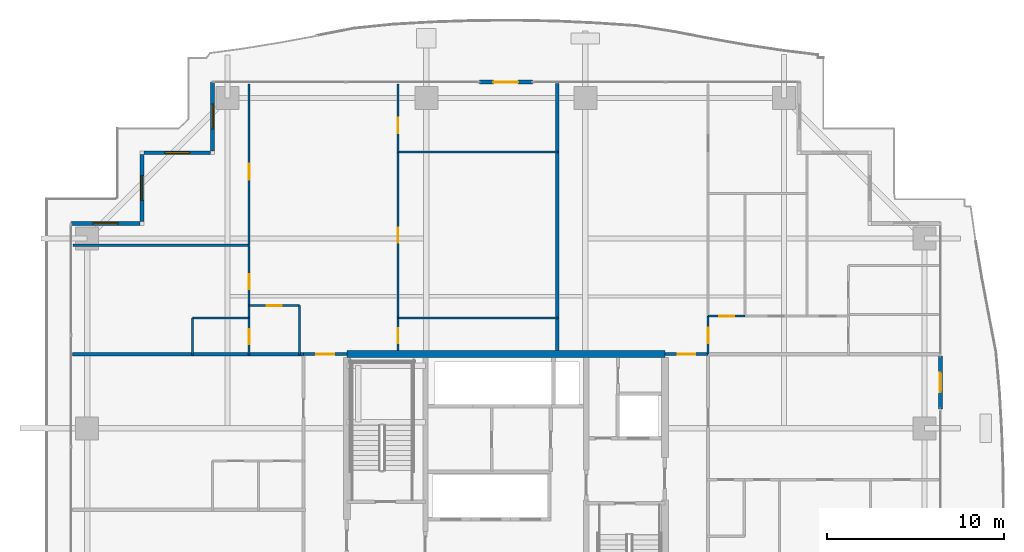
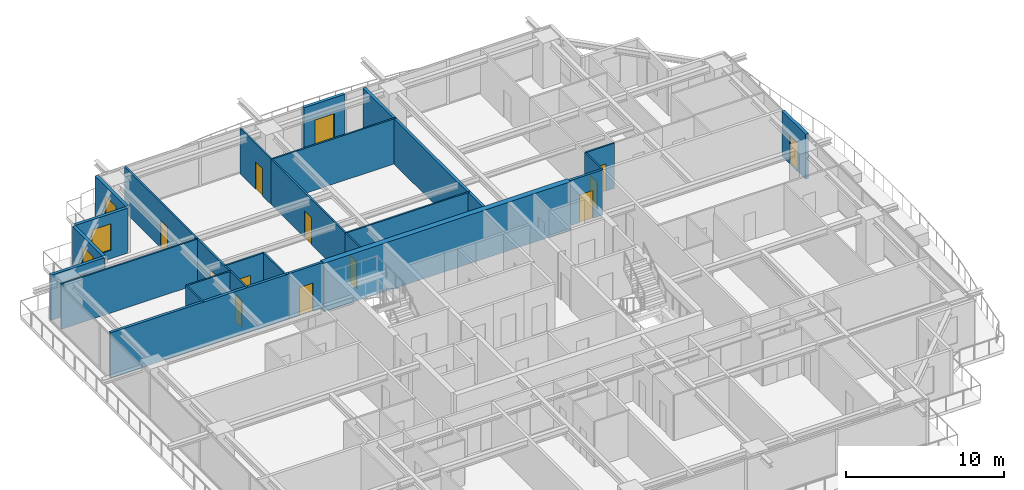
# One storey, part 26 of 33: 26 walls, 13 doors, 4 windows, 17 openings.
"""IFC4 building model written with IfcOpenShell, lengths in metres."""

from ifc_helpers import new_model, si_unit, direction, frame, frame_2d, origin, place, context, subcontext, project, spatial, rectangle, extrude, source, transform, mapped, material, layer, layer_set, type_object, element, fill, save


model = new_model("IFC4")

# Units and contexts
model_context = context("Model", 3, precision=1e-05, world=origin(), true_north=direction((0.0, 1.0)))
body_context = subcontext(model_context, "Body", "Model", "MODEL_VIEW")
ifc_project = project(units=[si_unit("LENGTHUNIT", "METRE"), si_unit("AREAUNIT", "SQUARE_METRE"), si_unit("VOLUMEUNIT", "CUBIC_METRE"), si_unit("PLANEANGLEUNIT", "RADIAN"), si_unit("MASSUNIT", "GRAM", prefix="KILO")], contexts=[model_context])

# Site, building, storey
site_placement = place(None, origin())
site = spatial("IfcSite", under=ifc_project, at=site_placement, CompositionType="ELEMENT")
building_placement = place(site_placement, origin())
building = spatial("IfcBuilding", under=site, at=building_placement, Name="Serunith Strait Residences", CompositionType="ELEMENT")
storey_placement = place(building_placement, frame((0.0, 0.0, 150.14990234375)))
storey = spatial("IfcBuildingStorey", under=building, at=storey_placement, Name="L37", CompositionType="ELEMENT", Elevation=150.14990234375)

# Wall, opening, door
ifc_material_1 = material(Name="Pale-Champagne Aluminium Insulated Panel", Category="aluminium")
ifc_layer_1 = layer(ifc_material_1, 0.219970703125, Name="Pale-Champagne Aluminium Insulated Panel")
ifc_layer_set_1 = layer_set([ifc_layer_1], Name="Pale-Champagne Aluminium Insulated Panel")
wall_type_1 = type_object("IfcWallType", Name="EW-ALUM-220", PredefinedType="ELEMENTEDWALL", material=ifc_layer_set_1)
wall_1_placement = place(storey_placement, frame((57.0, 30.5, 0.0), z_axis=(0.0, 0.0, 1.0), x_axis=(0.0, 1.0, 0.0)))
wall_1 = element("IfcWall", 1, at=wall_1_placement, inside=storey, type_object=wall_type_1, Name="L37 E Facade Pier Wall", PredefinedType="ELEMENTEDWALL", context=body_context, shape_type="SweptSolid", body=[
    extrude(rectangle(XDim=3.0, YDim=0.219970703125, at=frame_2d((1.5, 0.0))), origin(), (0.0, 0.0, 1.0), 3.47509765625),
])
opening_1_placement = place(wall_1_placement, frame((0.949951171875, 0.0, 0.0)))
opening_1 = element("IfcOpeningElement", 2, at=opening_1_placement, cuts=wall_1, Name="Opening ED-03", PredefinedType="OPENING", context=body_context, shape_type="SweptSolid", body=[
    extrude(rectangle(XDim=1.10009765625, YDim=2.199951171875, at=frame_2d((0.550048828125, 1.10009765625))), frame((0.0, 0.1201171875, 0.0), z_axis=(0.0, -1.0, 0.0), x_axis=(1.0, 0.0, 0.0)), (0.0, 0.0, 1.0), 0.239990234375),
])
ifc_material_2 = material(Name="Thermally-Broken Aluminium Glazed Balcony Door", Category="aluminium")
door_type_1 = type_object("IfcDoorType", Name="ED-BALC-1100", OperationType="NOTDEFINED", PredefinedType="DOOR", material=ifc_material_2)
shared_shape_1 = source(origin(), body_context, "Body", "SweptSolid", [
    extrude(rectangle(XDim=1.10009765625, YDim=2.199951171875, at=frame_2d((0.550048828125, 1.10009765625))), frame((0.0, 0.02490234375, 0.0), z_axis=(0.0, -1.0, 0.0), x_axis=(1.0, 0.0, 0.0)), (0.0, 0.0, 1.0), 0.050048828125),
])
door_1_placement = place(opening_1_placement, origin())
door_1 = element("IfcDoor", 3, at=door_1_placement, inside=storey, type_object=door_type_1, Name="L37 E Vertical-Forest Balcony Door", OperationType="SINGLE_SWING_RIGHT", OverallHeight=2.199951171875, OverallWidth=1.10009765625, PredefinedType="DOOR", context=body_context, shape_type="MappedRepresentation", body=[
    mapped(shared_shape_1, transform((0.0, 0.0, 0.0), scale=1.0)),
])
fill(opening_1, door_1)

wall_2_placement = place(storey_placement, frame((33.89990234375, 49.0, 0.0), z_axis=(0.0, 0.0, 1.0), x_axis=(-1.0, 0.0, 0.0)))
wall_2 = element("IfcWall", 4, at=wall_2_placement, inside=storey, type_object=wall_type_1, Name="L37 N Facade Pier Wall", PredefinedType="ELEMENTEDWALL", context=body_context, shape_type="SweptSolid", body=[
    extrude(rectangle(XDim=3.0, YDim=0.219970703125, at=frame_2d((1.5, 0.0))), origin(), (0.0, 0.0, 1.0), 3.47509765625),
])
opening_2_placement = place(wall_2_placement, frame((0.800048828125, 0.0, 0.0)))
opening_2 = element("IfcOpeningElement", 5, at=opening_2_placement, cuts=wall_2, Name="Opening ED-04", PredefinedType="OPENING", context=body_context, shape_type="SweptSolid", body=[
    extrude(rectangle(XDim=1.39990234375, YDim=2.25, at=frame_2d((0.699951171875, 1.125))), frame((0.0, 0.1201171875, 0.0), z_axis=(0.0, -1.0, 0.0), x_axis=(1.0, 0.0, 0.0)), (0.0, 0.0, 1.0), 0.239990234375),
])
ifc_material_3 = material(Name="Thermally-Broken Aluminium Sliding Balcony Door", Category="aluminium")
door_type_2 = type_object("IfcDoorType", Name="ED-BALC-1400", OperationType="NOTDEFINED", PredefinedType="DOOR", material=ifc_material_3)
shared_shape_2 = source(origin(), body_context, "Body", "SweptSolid", [
    extrude(rectangle(XDim=1.39990234375, YDim=2.25, at=frame_2d((0.699951171875, 1.125))), frame((0.0, 0.02490234375, 0.0), z_axis=(0.0, -1.0, 0.0), x_axis=(1.0, 0.0, 0.0)), (0.0, 0.0, 1.0), 0.050048828125),
])
door_2_placement = place(opening_2_placement, origin())
door_2 = element("IfcDoor", 6, at=door_2_placement, inside=storey, type_object=door_type_2, Name="L37 N Vertical-Forest Balcony Door", OperationType="SLIDING_TO_LEFT", OverallHeight=2.25, OverallWidth=1.39990234375, PredefinedType="DOOR", context=body_context, shape_type="MappedRepresentation", body=[
    mapped(shared_shape_2, transform((0.0, 0.0, 0.0), scale=1.0)),
])
fill(opening_2, door_2)

# Wall, opening, window
wall_3_placement = place(storey_placement, frame((15.800048828125, 49.0, 0.0), z_axis=(0.0, 0.0, 1.0), x_axis=(0.0, -1.0, 0.0)))
wall_3 = element("IfcWall", 7, at=wall_3_placement, inside=storey, type_object=wall_type_1, Name="L37 Girih Serrated Corner Wall 12", PredefinedType="ELEMENTEDWALL", context=body_context, shape_type="SweptSolid", body=[
    extrude(rectangle(XDim=3.889892578125, YDim=0.219970703125, at=frame_2d((1.94482421875, 0.0))), origin(), (0.0, 0.0, 1.0), 3.47509765625),
])
opening_3_placement = place(wall_3_placement, frame((1.2451171875, 0.0, 0.64990234375)))
opening_3 = element("IfcOpeningElement", 8, at=opening_3_placement, cuts=wall_3, Name="Opening W-03", PredefinedType="OPENING", context=body_context, shape_type="SweptSolid", body=[
    extrude(rectangle(XDim=1.39990234375, YDim=2.050048828125, at=frame_2d((0.699951171875, 1.02490234375))), frame((0.0, 0.1201171875, 0.0), z_axis=(0.0, -1.0, 0.0), x_axis=(1.0, 0.0, 0.0)), (0.0, 0.0, 1.0), 0.239990234375),
])
ifc_material_4 = material(Name="Ceramic-Fritted Operable Aluminium Window Glass", Category="aluminium")
window_type = type_object("IfcWindowType", Name="WIN-C3", PartitioningType="SINGLE_PANEL", PredefinedType="WINDOW", material=ifc_material_4)
shared_shape_3 = source(origin(), body_context, "Body", "SweptSolid", [
    extrude(rectangle(XDim=1.39990234375, YDim=2.050048828125, at=frame_2d((0.699951171875, 1.02490234375))), frame((0.0, 0.030029296875, 0.0), z_axis=(0.0, -1.0, 0.0), x_axis=(1.0, 0.0, 0.0)), (0.0, 0.0, 1.0), 0.06005859375),
])
window_1_placement = place(opening_3_placement, origin())
window_1 = element("IfcWindow", 9, at=window_1_placement, inside=storey, type_object=window_type, Name="L37 Corner Operable Fritted Window 12", OverallHeight=2.050048828125, OverallWidth=1.39990234375, PartitioningType="SINGLE_PANEL", PredefinedType="WINDOW", context=body_context, shape_type="MappedRepresentation", body=[
    mapped(shared_shape_3, transform((0.0, 0.0, 0.0), scale=1.0)),
])
fill(opening_3, window_1)

wall_4_placement = place(storey_placement, frame((15.68994140625, 45.0, 0.0), z_axis=(0.0, 0.0, 1.0), x_axis=(-1.0, 0.0, 0.0)))
wall_4 = element("IfcWall", 10, at=wall_4_placement, inside=storey, type_object=wall_type_1, Name="L37 Girih Serrated Corner Wall 13", PredefinedType="ELEMENTEDWALL", context=body_context, shape_type="SweptSolid", body=[
    extrude(rectangle(XDim=3.780029296875, YDim=0.219970703125, at=frame_2d((1.89013671875, 0.0))), origin(), (0.0, 0.0, 1.0), 3.47509765625),
])
opening_4_placement = place(wall_4_placement, frame((1.18994140625, 0.0, 0.64990234375)))
opening_4 = element("IfcOpeningElement", 11, at=opening_4_placement, cuts=wall_4, Name="Opening W-03", PredefinedType="OPENING", context=body_context, shape_type="SweptSolid", body=[
    extrude(rectangle(XDim=1.39990234375, YDim=2.050048828125, at=frame_2d((0.699951171875, 1.02490234375))), frame((0.0, 0.1201171875, 0.0), z_axis=(0.0, -1.0, 0.0), x_axis=(1.0, 0.0, 0.0)), (0.0, 0.0, 1.0), 0.239990234375),
])
window_2_placement = place(opening_4_placement, origin())
window_2 = element("IfcWindow", 12, at=window_2_placement, inside=storey, type_object=window_type, Name="L37 Corner Operable Fritted Window 13", OverallHeight=2.050048828125, OverallWidth=1.39990234375, PartitioningType="SINGLE_PANEL", PredefinedType="WINDOW", context=body_context, shape_type="MappedRepresentation", body=[
    mapped(shared_shape_3, transform((0.0, 0.0, 0.0), scale=1.0)),
])
fill(opening_4, window_2)

wall_5_placement = place(storey_placement, frame((11.800048828125, 44.889892578125, 0.0), z_axis=(0.0, 0.0, 1.0), x_axis=(0.0, -1.0, 0.0)))
wall_5 = element("IfcWall", 13, at=wall_5_placement, inside=storey, type_object=wall_type_1, Name="L37 Girih Serrated Corner Wall 14", PredefinedType="ELEMENTEDWALL", context=body_context, shape_type="SweptSolid", body=[
    extrude(rectangle(XDim=3.77978515625, YDim=0.219970703125, at=frame_2d((1.889892578125, 0.0))), origin(), (0.0, 0.0, 1.0), 3.47509765625),
])
opening_5_placement = place(wall_5_placement, frame((1.18994140625, 0.0, 0.64990234375)))
opening_5 = element("IfcOpeningElement", 14, at=opening_5_placement, cuts=wall_5, Name="Opening W-03", PredefinedType="OPENING", context=body_context, shape_type="SweptSolid", body=[
    extrude(rectangle(XDim=1.39990234375, YDim=2.050048828125, at=frame_2d((0.699951171875, 1.02490234375))), frame((0.0, 0.1201171875, 0.0), z_axis=(0.0, -1.0, 0.0), x_axis=(1.0, 0.0, 0.0)), (0.0, 0.0, 1.0), 0.239990234375),
])
window_3_placement = place(opening_5_placement, origin())
window_3 = element("IfcWindow", 15, at=window_3_placement, inside=storey, type_object=window_type, Name="L37 Corner Operable Fritted Window 14", OverallHeight=2.050048828125, OverallWidth=1.39990234375, PartitioningType="SINGLE_PANEL", PredefinedType="WINDOW", context=body_context, shape_type="MappedRepresentation", body=[
    mapped(shared_shape_3, transform((0.0, 0.0, 0.0), scale=1.0)),
])
fill(opening_5, window_3)

wall_6_placement = place(storey_placement, frame((11.68994140625, 41.0, 0.0), z_axis=(0.0, 0.0, 1.0), x_axis=(-1.0, 0.0, 0.0)))
wall_6 = element("IfcWall", 16, at=wall_6_placement, inside=storey, type_object=wall_type_1, Name="L37 Girih Serrated Corner Wall 15", PredefinedType="ELEMENTEDWALL", context=body_context, shape_type="SweptSolid", body=[
    extrude(rectangle(XDim=3.889892578125, YDim=0.219970703125, at=frame_2d((1.94482421875, 0.0))), origin(), (0.0, 0.0, 1.0), 3.47509765625),
])
opening_6_placement = place(wall_6_placement, frame((1.2451171875, 0.0, 0.64990234375)))
opening_6 = element("IfcOpeningElement", 17, at=opening_6_placement, cuts=wall_6, Name="Opening W-03", PredefinedType="OPENING", context=body_context, shape_type="SweptSolid", body=[
    extrude(rectangle(XDim=1.39990234375, YDim=2.050048828125, at=frame_2d((0.699951171875, 1.02490234375))), frame((0.0, 0.1201171875, 0.0), z_axis=(0.0, -1.0, 0.0), x_axis=(1.0, 0.0, 0.0)), (0.0, 0.0, 1.0), 0.239990234375),
])
window_4_placement = place(opening_6_placement, origin())
window_4 = element("IfcWindow", 18, at=window_4_placement, inside=storey, type_object=window_type, Name="L37 Corner Operable Fritted Window 15", OverallHeight=2.050048828125, OverallWidth=1.39990234375, PartitioningType="SINGLE_PANEL", PredefinedType="WINDOW", context=body_context, shape_type="MappedRepresentation", body=[
    mapped(shared_shape_3, transform((0.0, 0.0, 0.0), scale=1.0)),
])
fill(opening_6, window_4)

# Wall, opening, door
ifc_material_5 = material(Name="Fire-rated acoustic gypsum partition")
ifc_layer_2 = layer(ifc_material_5, 0.179931640625, Name="Fire-rated acoustic gypsum partition")
ifc_layer_set_2 = layer_set([ifc_layer_2], Name="Fire-rated acoustic gypsum partition")
wall_type_2 = type_object("IfcWallType", Name="IW-CORR-180", PredefinedType="PARTITIONING", material=ifc_layer_set_2)
wall_7_placement = place(storey_placement, frame((20.951904296875, 33.60009765625, 0.0), z_axis=(0.0, 0.0, 1.0), x_axis=(1.0, 0.0, 0.0)))
wall_7 = element("IfcWall", 19, at=wall_7_placement, inside=storey, type_object=wall_type_2, Name="L37 Partition Wall 030", PredefinedType="PARTITIONING", context=body_context, shape_type="SweptSolid", body=[
    extrude(rectangle(XDim=2.446044921875, YDim=0.179931640625, at=frame_2d((1.22314453125, 0.0))), origin(), (0.0, 0.0, 1.0), 3.489990234375),
])
opening_7_placement = place(wall_7_placement, frame((0.722900390625, 0.0, 0.0)))
opening_7 = element("IfcOpeningElement", 20, at=opening_7_placement, cuts=wall_7, Name="Opening D-APT1000", PredefinedType="OPENING", context=body_context, shape_type="SweptSolid", body=[
    extrude(rectangle(XDim=1.0, YDim=2.14990234375, at=frame_2d((0.5, 1.074951171875))), frame((0.0, 0.10009765625, 0.0), z_axis=(0.0, -1.0, 0.0), x_axis=(1.0, 0.0, 0.0)), (0.0, 0.0, 1.0), 0.199951171875),
])
ifc_material_6 = material(Name="Solid timber engineered fire door", Category="wood")
door_type_3 = type_object("IfcDoorType", Name="ID-APT-1000", OperationType="NOTDEFINED", PredefinedType="DOOR", material=ifc_material_6)
shared_shape_4 = source(origin(), body_context, "Body", "SweptSolid", [
    extrude(rectangle(XDim=1.0, YDim=2.14990234375, at=frame_2d((0.5, 1.074951171875))), frame((0.0, 0.02490234375, 0.0), z_axis=(0.0, -1.0, 0.0), x_axis=(1.0, 0.0, 0.0)), (0.0, 0.0, 1.0), 0.050048828125),
])
door_3_placement = place(opening_7_placement, origin())
door_3 = element("IfcDoor", 21, at=door_3_placement, inside=storey, type_object=door_type_3, Name="L37 Unit 05 Entrance Door", OperationType="SINGLE_SWING_RIGHT", OverallHeight=2.14990234375, OverallWidth=1.0, PredefinedType="DOOR", context=body_context, shape_type="MappedRepresentation", body=[
    mapped(shared_shape_4, transform((0.0, 0.0, 0.0), scale=1.0)),
])
fill(opening_7, door_3)

wall_8_placement = place(storey_placement, frame((41.402099609375, 33.60009765625, 0.0), z_axis=(0.0, 0.0, 1.0), x_axis=(1.0, 0.0, 0.0)))
wall_8 = element("IfcWall", 22, at=wall_8_placement, inside=storey, type_object=wall_type_2, Name="L37 Partition Wall 031", PredefinedType="PARTITIONING", context=body_context, shape_type="SweptSolid", body=[
    extrude(rectangle(XDim=2.44580078125, YDim=0.179931640625, at=frame_2d((1.222900390625, 0.0))), origin(), (0.0, 0.0, 1.0), 3.489990234375),
])
opening_8_placement = place(wall_8_placement, frame((0.722900390625, 0.0, 0.0)))
opening_8 = element("IfcOpeningElement", 23, at=opening_8_placement, cuts=wall_8, Name="Opening D-APT1000", PredefinedType="OPENING", context=body_context, shape_type="SweptSolid", body=[
    extrude(rectangle(XDim=1.0, YDim=2.14990234375, at=frame_2d((0.5, 1.074951171875))), frame((0.0, 0.10009765625, 0.0), z_axis=(0.0, -1.0, 0.0), x_axis=(1.0, 0.0, 0.0)), (0.0, 0.0, 1.0), 0.199951171875),
])
door_4_placement = place(opening_8_placement, origin())
door_4 = element("IfcDoor", 24, at=door_4_placement, inside=storey, type_object=door_type_3, Name="L37 Unit 06 Entrance Door", OperationType="SINGLE_SWING_LEFT", OverallHeight=2.14990234375, OverallWidth=1.0, PredefinedType="DOOR", context=body_context, shape_type="MappedRepresentation", body=[
    mapped(shared_shape_4, transform((0.0, 0.0, 0.0), scale=1.0)),
])
fill(opening_8, door_4)

ifc_material_7 = material(Name="Lightweight steel-stud gypsum partition", Category="steel")
ifc_layer_3 = layer(ifc_material_7, 0.1201171875, Name="Lightweight steel-stud gypsum partition")
ifc_layer_set_3 = layer_set([ifc_layer_3], Name="Lightweight steel-stud gypsum partition")
wall_type_3 = type_object("IfcWallType", Name="IW-PART-120", PredefinedType="PARTITIONING", material=ifc_layer_set_3)
wall_9_placement = place(storey_placement, frame((17.8701171875, 36.35009765625, 0.0), z_axis=(0.0, 0.0, 1.0), x_axis=(1.0, 0.0, 0.0)))
wall_9 = element("IfcWall", 25, at=wall_9_placement, inside=storey, type_object=wall_type_3, Name="L37 Partition Wall 055", PredefinedType="PARTITIONING", context=body_context, shape_type="SweptSolid", body=[
    extrude(rectangle(XDim=2.849853515625, YDim=0.1201171875, at=frame_2d((1.4248046875, 0.0))), origin(), (0.0, 0.0, 1.0), 3.489990234375),
])
opening_9_placement = place(wall_9_placement, frame((1.0, 0.0, 0.0)))
opening_9 = element("IfcOpeningElement", 26, at=opening_9_placement, cuts=wall_9, Name="Opening D-RM850", PredefinedType="OPENING", context=body_context, shape_type="SweptSolid", body=[
    extrude(rectangle(XDim=0.85009765625, YDim=2.10009765625, at=frame_2d((0.425048828125, 1.050048828125))), frame((0.0, 0.070068359375, 0.0), z_axis=(0.0, -1.0, 0.0), x_axis=(1.0, 0.0, 0.0)), (0.0, 0.0, 1.0), 0.14013671875),
])
ifc_material_8 = material(Name="Engineered timber flush study and kitchen door", Category="wood")
door_type_4 = type_object("IfcDoorType", Name="ID-ROOM-850", OperationType="NOTDEFINED", PredefinedType="DOOR", material=ifc_material_8)
shared_shape_5 = source(origin(), body_context, "Body", "SweptSolid", [
    extrude(rectangle(XDim=0.85009765625, YDim=2.10009765625, at=frame_2d((0.425048828125, 1.050048828125))), frame((0.0, 0.02490234375, 0.0), z_axis=(0.0, -1.0, 0.0), x_axis=(1.0, 0.0, 0.0)), (0.0, 0.0, 1.0), 0.050048828125),
])
door_5_placement = place(opening_9_placement, origin())
door_5 = element("IfcDoor", 27, at=door_5_placement, inside=storey, type_object=door_type_4, Name="L37 Kitchen 3705 Door", OperationType="SINGLE_SWING_RIGHT", OverallHeight=2.10009765625, OverallWidth=0.85009765625, PredefinedType="DOOR", context=body_context, shape_type="MappedRepresentation", body=[
    mapped(shared_shape_5, transform((0.0, 0.0, 0.0), scale=1.0)),
])
fill(opening_9, door_5)

# Wall
wall_10_placement = place(storey_placement, frame((20.719970703125, 36.35009765625, 0.0), z_axis=(0.0, 0.0, 1.0), x_axis=(0.0, -1.0, 0.0)))
element("IfcWall", 28, at=wall_10_placement, inside=storey, type_object=wall_type_3, Name="L37 Partition Wall 056", PredefinedType="PARTITIONING", context=body_context, shape_type="SweptSolid", body=[
    extrude(rectangle(XDim=2.81005859375, YDim=0.1201171875, at=frame_2d((1.405029296875, 0.0))), origin(), (0.0, 0.0, 1.0), 3.489990234375),
])

# Wall, opening, door
wall_11_placement = place(storey_placement, frame((17.8701171875, 48.905029296875, 0.0), z_axis=(0.0, 0.0, 1.0), x_axis=(0.0, -1.0, 0.0)))
wall_11 = element("IfcWall", 29, at=wall_11_placement, inside=storey, type_object=wall_type_3, Name="L37 Partition Wall 057", PredefinedType="PARTITIONING", context=body_context, shape_type="SweptSolid", body=[
    extrude(rectangle(XDim=9.14013671875, YDim=0.1201171875, at=frame_2d((4.570068359375, 0.0))), origin(), (0.0, 0.0, 1.0), 3.489990234375),
])
opening_10_placement = place(wall_11_placement, frame((4.531982421875, 0.0, 0.0)))
opening_10 = element("IfcOpeningElement", 30, at=opening_10_placement, cuts=wall_11, Name="Opening D-RM900", PredefinedType="OPENING", context=body_context, shape_type="SweptSolid", body=[
    extrude(rectangle(XDim=0.89990234375, YDim=2.10009765625, at=frame_2d((0.449951171875, 1.050048828125))), frame((0.0, 0.070068359375, 0.0), z_axis=(0.0, -1.0, 0.0), x_axis=(1.0, 0.0, 0.0)), (0.0, 0.0, 1.0), 0.14013671875),
])
ifc_material_9 = material(Name="Engineered timber flush bedroom door", Category="wood")
door_type_5 = type_object("IfcDoorType", Name="ID-ROOM-900", OperationType="NOTDEFINED", PredefinedType="DOOR", material=ifc_material_9)
shared_shape_6 = source(origin(), body_context, "Body", "SweptSolid", [
    extrude(rectangle(XDim=0.89990234375, YDim=2.10009765625, at=frame_2d((0.449951171875, 1.050048828125))), frame((0.0, 0.02490234375, 0.0), z_axis=(0.0, -1.0, 0.0), x_axis=(1.0, 0.0, 0.0)), (0.0, 0.0, 1.0), 0.050048828125),
])
door_6_placement = place(opening_10_placement, origin())
door_6 = element("IfcDoor", 31, at=door_6_placement, inside=storey, type_object=door_type_5, Name="L37 Master Bedroom 1 3705 Door", OperationType="SINGLE_SWING_LEFT", OverallHeight=2.10009765625, OverallWidth=0.89990234375, PredefinedType="DOOR", context=body_context, shape_type="MappedRepresentation", body=[
    mapped(shared_shape_6, transform((0.0, 0.0, 0.0), scale=1.0)),
])
fill(opening_10, door_6)

# Walls
wall_12_placement = place(storey_placement, frame((7.89501953125, 39.764892578125, 0.0), z_axis=(0.0, 0.0, 1.0), x_axis=(1.0, 0.0, 0.0)))
element("IfcWall", 32, at=wall_12_placement, inside=storey, type_object=wall_type_3, Name="L37 Partition Wall 058", PredefinedType="PARTITIONING", context=body_context, shape_type="SweptSolid", body=[
    extrude(rectangle(XDim=9.97509765625, YDim=0.1201171875, at=frame_2d((4.987548828125, 0.0))), origin(), (0.0, 0.0, 1.0), 3.489990234375),
])
wall_13_placement = place(storey_placement, frame((14.669921875, 35.64990234375, 0.0), z_axis=(0.0, 0.0, 1.0), x_axis=(1.0, 0.0, 0.0)))
element("IfcWall", 33, at=wall_13_placement, inside=storey, type_object=wall_type_3, Name="L37 Partition Wall 059", PredefinedType="PARTITIONING", context=body_context, shape_type="SweptSolid", body=[
    extrude(rectangle(XDim=3.2001953125, YDim=0.1201171875, at=frame_2d((1.60009765625, 0.0))), origin(), (0.0, 0.0, 1.0), 3.489990234375),
])
wall_14_placement = place(storey_placement, frame((14.669921875, 35.64990234375, 0.0), z_axis=(0.0, 0.0, 1.0), x_axis=(0.0, -1.0, 0.0)))
element("IfcWall", 34, at=wall_14_placement, inside=storey, type_object=wall_type_3, Name="L37 Partition Wall 060", PredefinedType="PARTITIONING", context=body_context, shape_type="SweptSolid", body=[
    extrude(rectangle(XDim=2.10986328125, YDim=0.1201171875, at=frame_2d((1.054931640625, 0.0))), origin(), (0.0, 0.0, 1.0), 3.489990234375),
])

# Wall, opening, door
wall_15_placement = place(storey_placement, frame((17.8701171875, 39.762939453125, 0.0), z_axis=(0.0, 0.0, 1.0), x_axis=(0.0, -1.0, 0.0)))
wall_15 = element("IfcWall", 35, at=wall_15_placement, inside=storey, type_object=wall_type_3, Name="L37 Partition Wall 061", PredefinedType="PARTITIONING", context=body_context, shape_type="SweptSolid", body=[
    extrude(rectangle(XDim=4.113037109375, YDim=0.1201171875, at=frame_2d((2.056640625, 0.0))), origin(), (0.0, 0.0, 1.0), 3.489990234375),
])
opening_11_placement = place(wall_15_placement, frame((1.631103515625, 0.0, 0.0)))
opening_11 = element("IfcOpeningElement", 36, at=opening_11_placement, cuts=wall_15, Name="Opening D-RM850", PredefinedType="OPENING", context=body_context, shape_type="SweptSolid", body=[
    extrude(rectangle(XDim=0.85009765625, YDim=2.10009765625, at=frame_2d((0.425048828125, 1.050048828125))), frame((0.0, 0.070068359375, 0.0), z_axis=(0.0, -1.0, 0.0), x_axis=(1.0, 0.0, 0.0)), (0.0, 0.0, 1.0), 0.14013671875),
])
door_7_placement = place(opening_11_placement, origin())
door_7 = element("IfcDoor", 37, at=door_7_placement, inside=storey, type_object=door_type_4, Name="L37 Walk-in Wardrobe 3705 Door", OperationType="SINGLE_SWING_RIGHT", OverallHeight=2.10009765625, OverallWidth=0.85009765625, PredefinedType="DOOR", context=body_context, shape_type="MappedRepresentation", body=[
    mapped(shared_shape_5, transform((0.0, 0.0, 0.0), scale=1.0)),
])
fill(opening_11, door_7)

wall_16_placement = place(storey_placement, frame((17.8701171875, 35.64794921875, 0.0), z_axis=(0.0, 0.0, 1.0), x_axis=(0.0, -1.0, 0.0)))
wall_16 = element("IfcWall", 38, at=wall_16_placement, inside=storey, type_object=wall_type_3, Name="L37 Partition Wall 062", PredefinedType="PARTITIONING", context=body_context, shape_type="SweptSolid", body=[
    extrude(rectangle(XDim=2.10791015625, YDim=0.1201171875, at=frame_2d((1.053955078125, 0.0))), origin(), (0.0, 0.0, 1.0), 3.489990234375),
])
opening_12_placement = place(wall_16_placement, frame((0.62890625, 0.0, 0.0)))
opening_12 = element("IfcOpeningElement", 39, at=opening_12_placement, cuts=wall_16, Name="Opening D-BTH850", PredefinedType="OPENING", context=body_context, shape_type="SweptSolid", body=[
    extrude(rectangle(XDim=0.85009765625, YDim=2.10009765625, at=frame_2d((0.425048828125, 1.050048828125))), frame((0.0, 0.070068359375, 0.0), z_axis=(0.0, -1.0, 0.0), x_axis=(1.0, 0.0, 0.0)), (0.0, 0.0, 1.0), 0.14013671875),
])
ifc_material_10 = material(Name="Moisture-resistant timber bathroom door", Category="wood")
door_type_6 = type_object("IfcDoorType", Name="ID-BATH-850", OperationType="NOTDEFINED", PredefinedType="DOOR", material=ifc_material_10)
door_8_placement = place(opening_12_placement, origin())
door_8 = element("IfcDoor", 40, at=door_8_placement, inside=storey, type_object=door_type_6, Name="L37 Bathroom 3705 Door", OperationType="SINGLE_SWING_LEFT", OverallHeight=2.10009765625, OverallWidth=0.85009765625, PredefinedType="DOOR", context=body_context, shape_type="MappedRepresentation", body=[
    mapped(shared_shape_5, transform((0.0, 0.0, 0.0), scale=1.0)),
])
fill(opening_12, door_8)

wall_17_placement = place(storey_placement, frame((26.300048828125, 48.905029296875, 0.0), z_axis=(0.0, 0.0, 1.0), x_axis=(0.0, -1.0, 0.0)))
wall_17 = element("IfcWall", 41, at=wall_17_placement, inside=storey, type_object=wall_type_3, Name="L37 Partition Wall 063", PredefinedType="PARTITIONING", context=body_context, shape_type="SweptSolid", body=[
    extrude(rectangle(XDim=3.867919921875, YDim=0.1201171875, at=frame_2d((1.93408203125, 0.0))), origin(), (0.0, 0.0, 1.0), 3.489990234375),
])
opening_13_placement = place(wall_17_placement, frame((1.912109375, 0.0, 0.0)))
opening_13 = element("IfcOpeningElement", 42, at=opening_13_placement, cuts=wall_17, Name="Opening D-RM900", PredefinedType="OPENING", context=body_context, shape_type="SweptSolid", body=[
    extrude(rectangle(XDim=0.89990234375, YDim=2.10009765625, at=frame_2d((0.449951171875, 1.050048828125))), frame((0.0, 0.070068359375, 0.0), z_axis=(0.0, -1.0, 0.0), x_axis=(1.0, 0.0, 0.0)), (0.0, 0.0, 1.0), 0.14013671875),
])
door_9_placement = place(opening_13_placement, origin())
door_9 = element("IfcDoor", 43, at=door_9_placement, inside=storey, type_object=door_type_5, Name="L37 Bedroom 2 3705 Door", OperationType="SINGLE_SWING_RIGHT", OverallHeight=2.10009765625, OverallWidth=0.89990234375, PredefinedType="DOOR", context=body_context, shape_type="MappedRepresentation", body=[
    mapped(shared_shape_6, transform((0.0, 0.0, 0.0), scale=1.0)),
])
fill(opening_13, door_9)

# Walls
for number, where, z_axis, x_axis, name in (
    (44, (26.300048828125, 45.037109375, 0.0), (0.0, 0.0, 1.0), (1.0, 0.0, 0.0), "L37 Partition Wall 064"),
    (45, (26.300048828125, 35.64990234375, 0.0), (0.0, 0.0, 1.0), (1.0, 0.0, 0.0), "L37 Partition Wall 065"),
):
    element("IfcWall", number, at=place(storey_placement, frame(where, z_axis=z_axis, x_axis=x_axis)), inside=storey, type_object=wall_type_3, Name=name, PredefinedType="PARTITIONING", context=body_context, shape_type="SweptSolid", body=[
        extrude(rectangle(XDim=9.06005859375, YDim=0.1201171875, at=frame_2d((4.530029296875, 0.0))), origin(), (0.0, 0.0, 1.0), 3.489990234375),
    ])

# Wall, opening, door
wall_18_placement = place(storey_placement, frame((26.300048828125, 45.034912109375, 0.0), z_axis=(0.0, 0.0, 1.0), x_axis=(0.0, -1.0, 0.0)))
wall_18 = element("IfcWall", 46, at=wall_18_placement, inside=storey, type_object=wall_type_3, Name="L37 Partition Wall 066", PredefinedType="PARTITIONING", context=body_context, shape_type="SweptSolid", body=[
    extrude(rectangle(XDim=9.385009765625, YDim=0.1201171875, at=frame_2d((4.6923828125, 0.0))), origin(), (0.0, 0.0, 1.0), 3.489990234375),
])
opening_14_placement = place(wall_18_placement, frame((4.26708984375, 0.0, 0.0)))
opening_14 = element("IfcOpeningElement", 47, at=opening_14_placement, cuts=wall_18, Name="Opening D-RM850", PredefinedType="OPENING", context=body_context, shape_type="SweptSolid", body=[
    extrude(rectangle(XDim=0.85009765625, YDim=2.10009765625, at=frame_2d((0.425048828125, 1.050048828125))), frame((0.0, 0.070068359375, 0.0), z_axis=(0.0, -1.0, 0.0), x_axis=(1.0, 0.0, 0.0)), (0.0, 0.0, 1.0), 0.14013671875),
])
door_10_placement = place(opening_14_placement, origin())
door_10 = element("IfcDoor", 48, at=door_10_placement, inside=storey, type_object=door_type_4, Name="L37 Walk-in Wardrobe 3705 Door", OperationType="SINGLE_SWING_LEFT", OverallHeight=2.10009765625, OverallWidth=0.85009765625, PredefinedType="DOOR", context=body_context, shape_type="MappedRepresentation", body=[
    mapped(shared_shape_5, transform((0.0, 0.0, 0.0), scale=1.0)),
])
fill(opening_14, door_10)

wall_19_placement = place(storey_placement, frame((26.300048828125, 35.64794921875, 0.0), z_axis=(0.0, 0.0, 1.0), x_axis=(0.0, -1.0, 0.0)))
wall_19 = element("IfcWall", 49, at=wall_19_placement, inside=storey, type_object=wall_type_3, Name="L37 Partition Wall 067", PredefinedType="PARTITIONING", context=body_context, shape_type="SweptSolid", body=[
    extrude(rectangle(XDim=1.847900390625, YDim=0.1201171875, at=frame_2d((0.923828125, 0.0))), origin(), (0.0, 0.0, 1.0), 3.489990234375),
])
opening_15_placement = place(wall_19_placement, frame((0.569091796875, 0.0, 0.0)))
opening_15 = element("IfcOpeningElement", 50, at=opening_15_placement, cuts=wall_19, Name="Opening D-BTH850", PredefinedType="OPENING", context=body_context, shape_type="SweptSolid", body=[
    extrude(rectangle(XDim=0.85009765625, YDim=2.10009765625, at=frame_2d((0.425048828125, 1.050048828125))), frame((0.0, 0.070068359375, 0.0), z_axis=(0.0, -1.0, 0.0), x_axis=(1.0, 0.0, 0.0)), (0.0, 0.0, 1.0), 0.14013671875),
])
door_11_placement = place(opening_15_placement, origin())
door_11 = element("IfcDoor", 51, at=door_11_placement, inside=storey, type_object=door_type_6, Name="L37 Bathroom 3705 Door", OperationType="SINGLE_SWING_RIGHT", OverallHeight=2.10009765625, OverallWidth=0.85009765625, PredefinedType="DOOR", context=body_context, shape_type="MappedRepresentation", body=[
    mapped(shared_shape_5, transform((0.0, 0.0, 0.0), scale=1.0)),
])
fill(opening_15, door_11)

wall_20_placement = place(storey_placement, frame((43.85009765625, 35.75, 0.0), z_axis=(0.0, 0.0, 1.0), x_axis=(0.0, -1.0, 0.0)))
wall_20 = element("IfcWall", 52, at=wall_20_placement, inside=storey, type_object=wall_type_3, Name="L37 Partition Wall 068", PredefinedType="PARTITIONING", context=body_context, shape_type="SweptSolid", body=[
    extrude(rectangle(XDim=2.14794921875, YDim=0.1201171875, at=frame_2d((1.073974609375, 0.0))), origin(), (0.0, 0.0, 1.0), 3.489990234375),
])
opening_16_placement = place(wall_20_placement, frame((0.64208984375, 0.0, 0.0)))
opening_16 = element("IfcOpeningElement", 53, at=opening_16_placement, cuts=wall_20, Name="Opening D-RM900", PredefinedType="OPENING", context=body_context, shape_type="SweptSolid", body=[
    extrude(rectangle(XDim=0.89990234375, YDim=2.10009765625, at=frame_2d((0.449951171875, 1.050048828125))), frame((0.0, 0.070068359375, 0.0), z_axis=(0.0, -1.0, 0.0), x_axis=(1.0, 0.0, 0.0)), (0.0, 0.0, 1.0), 0.14013671875),
])
door_12_placement = place(opening_16_placement, origin())
door_12 = element("IfcDoor", 54, at=door_12_placement, inside=storey, type_object=door_type_5, Name="L37 Hall E 3706 Door", OperationType="SINGLE_SWING_LEFT", OverallHeight=2.10009765625, OverallWidth=0.89990234375, PredefinedType="DOOR", context=body_context, shape_type="MappedRepresentation", body=[
    mapped(shared_shape_6, transform((0.0, 0.0, 0.0), scale=1.0)),
])
fill(opening_16, door_12)

wall_21_placement = place(storey_placement, frame((43.85009765625, 35.75, 0.0), z_axis=(0.0, 0.0, 1.0), x_axis=(1.0, 0.0, 0.0)))
wall_21 = element("IfcWall", 55, at=wall_21_placement, inside=storey, type_object=wall_type_3, Name="L37 Partition Wall 074", PredefinedType="PARTITIONING", context=body_context, shape_type="SweptSolid", body=[
    extrude(rectangle(XDim=2.099853515625, YDim=0.1201171875, at=frame_2d((1.0498046875, 0.0))), origin(), (0.0, 0.0, 1.0), 3.489990234375),
])
opening_17_placement = place(wall_21_placement, frame((0.625, 0.0, 0.0)))
opening_17 = element("IfcOpeningElement", 56, at=opening_17_placement, cuts=wall_21, Name="Opening D-BTH850", PredefinedType="OPENING", context=body_context, shape_type="SweptSolid", body=[
    extrude(rectangle(XDim=0.85009765625, YDim=2.10009765625, at=frame_2d((0.425048828125, 1.050048828125))), frame((0.0, 0.070068359375, 0.0), z_axis=(0.0, -1.0, 0.0), x_axis=(1.0, 0.0, 0.0)), (0.0, 0.0, 1.0), 0.14013671875),
])
door_13_placement = place(opening_17_placement, origin())
door_13 = element("IfcDoor", 57, at=door_13_placement, inside=storey, type_object=door_type_6, Name="L37 Bathroom 3706 Door", OperationType="SINGLE_SWING_LEFT", OverallHeight=2.10009765625, OverallWidth=0.85009765625, PredefinedType="DOOR", context=body_context, shape_type="MappedRepresentation", body=[
    mapped(shared_shape_5, transform((0.0, 0.0, 0.0), scale=1.0)),
])
fill(opening_17, door_13)

# Walls
ifc_material_11 = material(Name="Twin-stud acoustic gypsum board partition")
ifc_layer_4 = layer(ifc_material_11, 0.199951171875, Name="Twin-stud acoustic gypsum board partition")
ifc_layer_set_4 = layer_set([ifc_layer_4], Name="Twin-stud acoustic gypsum board partition")
wall_type_4 = type_object("IfcWallType", Name="IW-PARTY-200", PredefinedType="PARTITIONING", material=ifc_layer_set_4)
wall_22_placement = place(storey_placement, frame((35.300048828125, 33.800048828125, 0.0), z_axis=(0.0, 0.0, 1.0), x_axis=(0.0, 1.0, 0.0)))
element("IfcWall", 58, at=wall_22_placement, inside=storey, type_object=wall_type_4, Name="L37 Partition Wall 021", PredefinedType="PARTITIONING", context=body_context, shape_type="SweptSolid", body=[
    extrude(rectangle(XDim=15.117919921875, YDim=0.199951171875, at=frame_2d((7.55908203125, 0.0))), origin(), (0.0, 0.0, 1.0), 3.489990234375),
])
wall_23_placement = place(storey_placement, frame((7.882080078125, 33.60009765625, 0.0), z_axis=(0.0, 0.0, 1.0), x_axis=(1.0, 0.0, 0.0)))
element("IfcWall", 59, at=wall_23_placement, inside=storey, type_object=wall_type_4, Name="L37 Partition Wall 025", PredefinedType="PARTITIONING", context=body_context, shape_type="SweptSolid", body=[
    extrude(rectangle(XDim=13.06787109375, YDim=0.199951171875, at=frame_2d((6.533935546875, 0.0))), origin(), (0.0, 0.0, 1.0), 3.489990234375),
])
ifc_material_12 = material(Name="Concrete C70/85", Category="concrete")
ifc_layer_5 = layer(ifc_material_12, 0.39990234375, Name="Concrete C70/85")
ifc_layer_set_5 = layer_set([ifc_layer_5], Name="Concrete C70/85")
wall_type_5 = type_object("IfcWallType", Name="SW-400-C70", PredefinedType="SHEAR", material=ifc_layer_set_5)
wall_24_placement = place(storey_placement, frame((41.39990234375, 33.60009765625, -0.260009765625), z_axis=(0.0, 0.0, 1.0), x_axis=(-1.0, 0.0, 0.0)))
element("IfcWall", 60, at=wall_24_placement, inside=storey, type_object=wall_type_5, Name="L37 Core North Shear Wall", PredefinedType="SHEAR", context=body_context, shape_type="SweptSolid", body=[
    extrude(rectangle(XDim=18.0, YDim=0.39990234375, at=frame_2d((9.0, 0.0))), origin(), (0.0, 0.0, 1.0), 3.748046875),
])

save(model, "model.ifc")
